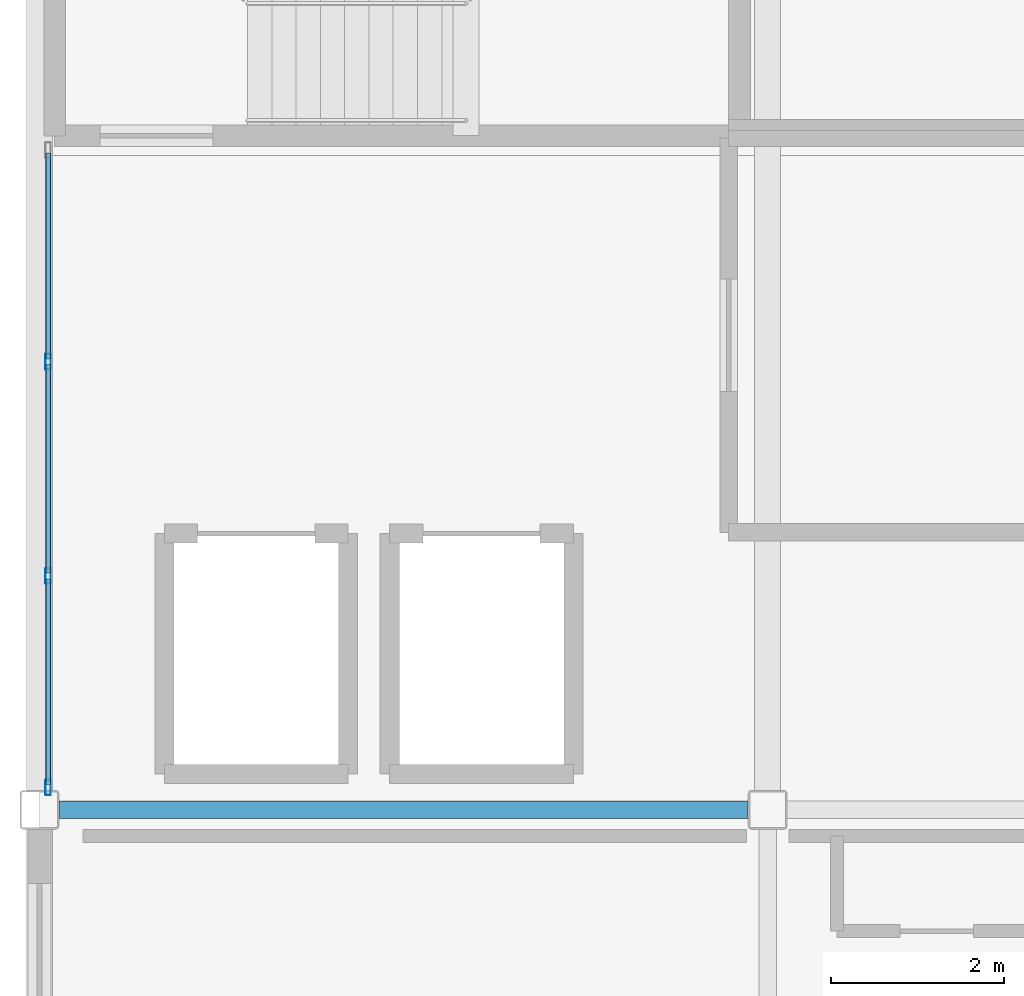
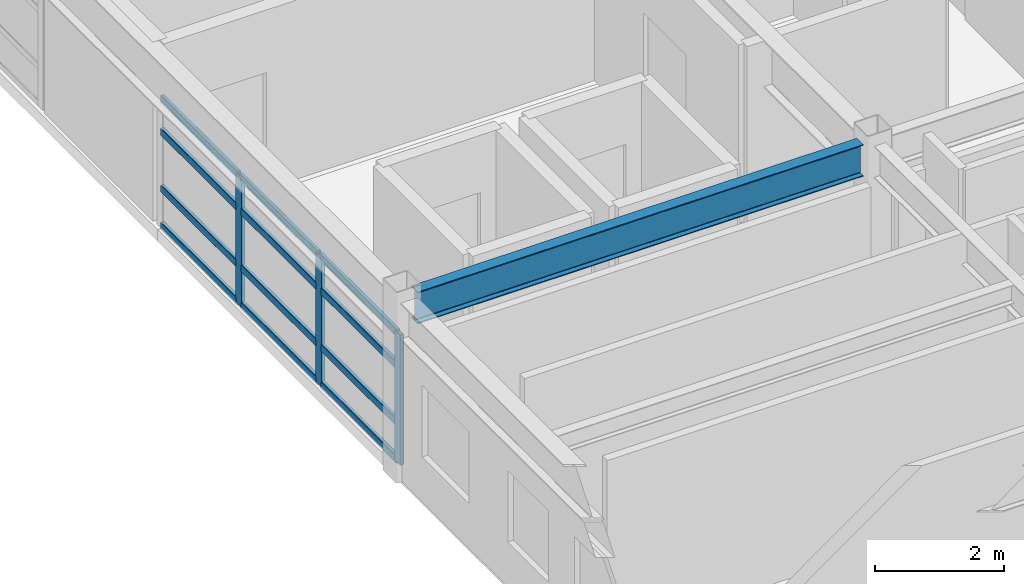
# One storey, part 9 of 28: 15 members, 1 beam, 1 element without a shape of its own.
"""IFC4 building model written with IfcOpenShell, lengths in metres."""

import ifcopenshell
import ifcopenshell.guid

model = None  # the IFC model being written
_history = None  # IfcOwnerHistory: only IFC2X3 demands one
_inside = {}  # id of a spatial element -> (the spatial element, [elements in it])
_under = {}  # id of a project, library or spatial element -> (it, [spatial elements below it])
_declared = {}  # id of a project -> (the project, [libraries it declares])
_typed = {}  # id of a type object -> (the type object, [elements of that type])
_made_of = {}  # id of a material, layer set ... -> (it, [elements and type objects made of it])


def new_model(schema):
    """Start an empty IFC model of exactly this schema.

    Asked for "IFC4X3", IfcOpenShell would pick the latest addendum, in which some entities
    have other attributes; the version numbers below select the first issue.
    IFC2X3 requires an IfcOwnerHistory on every rooted entity: one is made here for all.
    """
    global model, _history
    if schema == "IFC4X3":
        model = ifcopenshell.file(schema_version=(4, 3, 0, 0))
    else:
        model = ifcopenshell.file(schema=schema)
    _inside.clear()
    _under.clear()
    _declared.clear()
    _typed.clear()
    _made_of.clear()
    _history = None
    if model.schema == "IFC2X3":
        org = make("IfcOrganization", Name="unknown")
        user = make(
            "IfcPersonAndOrganization",
            ThePerson=make("IfcPerson", FamilyName="unknown"),
            TheOrganization=org,
        )
        app = make(
            "IfcApplication",
            ApplicationDeveloper=org,
            Version="unknown",
            ApplicationFullName="unknown",
            ApplicationIdentifier="unknown",
        )
        _history = make(
            "IfcOwnerHistory",
            OwningUser=user,
            OwningApplication=app,
            ChangeAction="ADDED",
            CreationDate=0,
        )
    return model


def make(cls, **values):
    """One entity of the class cls with the attributes given. An attribute that is None is left unset."""
    return model.create_entity(
        cls, **{name: value for name, value in values.items() if value is not None}
    )


def rooted(cls, **values):
    """An entity with a GlobalId (a new one), such as an element, a storey or a relation."""
    return make(cls, GlobalId=ifcopenshell.guid.new(), OwnerHistory=_history, **values)


def si_unit(unit_type, name, prefix=None):
    """IfcSIUnit, for example si_unit("LENGTHUNIT", "METRE", prefix="MILLI")."""
    return make("IfcSIUnit", UnitType=unit_type, Prefix=prefix, Name=name)


def assignment(units):
    """IfcUnitAssignment: the units of a project."""
    return None if units is None else make("IfcUnitAssignment", Units=units)


def point(xyz):
    """IfcCartesianPoint."""
    return None if xyz is None else make("IfcCartesianPoint", Coordinates=xyz)


def direction(xyz):
    """IfcDirection."""
    return None if xyz is None else make("IfcDirection", DirectionRatios=xyz)


def frame(location, z_axis=None, x_axis=None):
    """IfcAxis2Placement3D, a coordinate frame: its origin and axes. An axis left out is left unset."""
    return make(
        "IfcAxis2Placement3D",
        Location=point(location),
        Axis=direction(z_axis),
        RefDirection=direction(x_axis),
    )


def frame_2d(location, x_axis=None):
    """IfcAxis2Placement2D, a coordinate frame in the plane: its origin and x axis."""
    return make(
        "IfcAxis2Placement2D", Location=point(location), RefDirection=direction(x_axis)
    )


def origin():
    """The frame at (0, 0, 0) with its axes left unset."""
    return frame((0.0, 0.0, 0.0))


def origin_2d():
    """The frame at (0, 0) in the plane with its x axis left unset."""
    return frame_2d((0.0, 0.0))


def place(relative_to, where):
    """IfcLocalPlacement: puts the frame where relative to a parent placement (None: the world)."""
    return make(
        "IfcLocalPlacement", PlacementRelTo=relative_to, RelativePlacement=where
    )


def context(
    kind, dimensions, precision=None, world=None, true_north=None, identifier=None
):
    """IfcGeometricRepresentationContext, for example the 3D "Model" context."""
    return make(
        "IfcGeometricRepresentationContext",
        ContextIdentifier=identifier,
        ContextType=kind,
        CoordinateSpaceDimension=dimensions,
        Precision=precision,
        WorldCoordinateSystem=world,
        TrueNorth=true_north,
    )


def subcontext(parent, identifier, kind, view, scale=None):
    """IfcGeometricRepresentationSubContext, for example "Body" below "Model"."""
    return make(
        "IfcGeometricRepresentationSubContext",
        ContextIdentifier=identifier,
        ContextType=kind,
        ParentContext=parent,
        TargetScale=scale,
        TargetView=view,
    )


def project(units=None, contexts=None):
    """IfcProject with its units and contexts."""
    return rooted(
        "IfcProject",
        Name="project",
        RepresentationContexts=contexts,
        UnitsInContext=assignment(units),
    )


def spatial(cls, under=None, at=None, **own):
    """A site, building, storey or space (cls), placed at a placement, below another one or the project."""
    s = rooted(cls, ObjectPlacement=at, **own)
    if under is not None:
        _under.setdefault(under.id(), (under, []))[1].append(s)
    return s


def profile(cls, at=None, kind="AREA", **sizes):
    """A parametric profile (cls). Its sizes go by their IFC names, for example OverallWidth=200.0."""
    return make(cls, ProfileType=kind, Position=at, **sizes)


def hollow_rectangle(**sizes):
    """IfcRectangleHollowProfileDef."""
    return profile("IfcRectangleHollowProfileDef", **sizes)


def i_section(**sizes):
    """IfcIShapeProfileDef."""
    return profile("IfcIShapeProfileDef", **sizes)


def extrude(swept, where, along, depth):
    """IfcExtrudedAreaSolid: the profile swept, set in the frame where, extruded along a direction by depth."""
    return make(
        "IfcExtrudedAreaSolid",
        SweptArea=swept,
        Position=where,
        ExtrudedDirection=direction(along),
        Depth=depth,
    )


def shape(context_of_items, identifier, shape_type, items):
    """IfcShapeRepresentation: the items that make up one representation, for example the "Body"."""
    return make(
        "IfcShapeRepresentation",
        ContextOfItems=context_of_items,
        RepresentationIdentifier=identifier,
        RepresentationType=shape_type,
        Items=items,
    )


def material(Name=None, Category=None):
    """IfcMaterial."""
    return make("IfcMaterial", Name=Name, Category=Category)


def layer(
    of_material, thickness, ventilated=None, Name=None, Category=None, Priority=None
):
    """IfcMaterialLayer: one layer of a wall or slab, of a material (None: an air gap)."""
    return make(
        "IfcMaterialLayer",
        Material=of_material,
        LayerThickness=thickness,
        IsVentilated=ventilated,
        Name=Name,
        Category=Category,
        Priority=Priority,
    )


def layer_set(layers, Name=None):
    """IfcMaterialLayerSet."""
    return make("IfcMaterialLayerSet", MaterialLayers=layers, LayerSetName=Name)


def material_profile(
    of_material, cross_section, Name=None, Category=None, Priority=None
):
    """IfcMaterialProfile: a cross section and its material."""
    return make(
        "IfcMaterialProfile",
        Name=Name,
        Material=of_material,
        Profile=cross_section,
        Priority=Priority,
        Category=Category,
    )


def profile_set(profiles, Name=None, composite=None):
    """IfcMaterialProfileSet."""
    return make(
        "IfcMaterialProfileSet",
        Name=Name,
        MaterialProfiles=profiles,
        CompositeProfile=composite,
    )


def made_of(thing, what):
    """Note that an element or type object is made of a material, layer set ...; save() writes the relation."""
    if what is not None:
        _made_of.setdefault(what.id(), (what, []))[1].append(thing)
    return thing


def type_object(cls, material=None, **own):
    """A type object (cls), such as IfcWallType, which elements share."""
    return made_of(rooted(cls, **own), material)


def element(
    cls,
    number,
    at=None,
    inside=None,
    cuts=None,
    type_object=None,
    material=None,
    context=None,
    identifier="Body",
    shape_type=None,
    held_by="IfcProductDefinitionShape",
    body=None,
    shapes=None,
    **own,
):
    """One element of the class cls, such as IfcWall. Its Tag is "e" and its number.

    at: its placement. inside: the storey or other place that contains it. cuts: it is an
    opening in that element (IfcRelVoidsElement). A single representation is given by context,
    identifier, shape_type and body (its items); several are given by shapes. held_by: the class
    of the entity that holds the representations. save() writes the other relations.
    """
    e = rooted(cls, Tag="e%d" % number, ObjectPlacement=at, **own)
    if body is not None:
        shapes = [shape(context, identifier, shape_type, body)]
    if shapes is not None:
        e.Representation = make(held_by, Representations=shapes)
    if inside is not None:
        _inside.setdefault(inside.id(), (inside, []))[1].append(e)
    if cuts is not None:
        rooted(
            "IfcRelVoidsElement", RelatingBuildingElement=cuts, RelatedOpeningElement=e
        )
    if type_object is not None:
        _typed.setdefault(type_object.id(), (type_object, []))[1].append(e)
    return made_of(e, material)


def aggregate(whole, parts):
    """IfcRelAggregates: a whole, such as a stair, and the parts it consists of."""
    return rooted("IfcRelAggregates", RelatingObject=whole, RelatedObjects=parts)


def save(model, path):
    """Write the relations noted so far, then the file.

    IfcRelAggregates (storeys below a building ...), IfcRelContainedInSpatialStructure (elements
    in a storey), IfcRelDefinesByType, IfcRelAssociatesMaterial and IfcRelDeclares: one each for
    every whole, place, type object, material and project.
    """
    for whole, parts in _under.values():
        aggregate(whole, parts)
    for where, things in _inside.values():
        rooted(
            "IfcRelContainedInSpatialStructure",
            RelatedElements=things,
            RelatingStructure=where,
        )
    for kind, things in _typed.values():
        rooted("IfcRelDefinesByType", RelatedObjects=things, RelatingType=kind)
    for what, things in _made_of.values():
        rooted("IfcRelAssociatesMaterial", RelatedObjects=things, RelatingMaterial=what)
    for by, libraries in _declared.values():
        rooted("IfcRelDeclares", RelatingContext=by, RelatedDefinitions=libraries)
    model.write(path)


model = new_model("IFC4")

# Units and contexts
model_context = context("Model", 3, precision=1e-05, world=origin(), true_north=direction((0.0, 1.0)))
body_context = subcontext(model_context, "Body", "Model", "MODEL_VIEW")
ifc_project = project(units=[si_unit("LENGTHUNIT", "METRE"), si_unit("AREAUNIT", "SQUARE_METRE"), si_unit("VOLUMEUNIT", "CUBIC_METRE"), si_unit("PLANEANGLEUNIT", "RADIAN"), si_unit("MASSUNIT", "GRAM", prefix="KILO")], contexts=[model_context])

# Site, building, storey
site_placement = place(None, origin())
site = spatial("IfcSite", under=ifc_project, at=site_placement, CompositionType="ELEMENT")
building_placement = place(site_placement, origin())
building = spatial("IfcBuilding", under=site, at=building_placement, Name="Kazehara Bluff Congress Hotel", CompositionType="ELEMENT")
storey_placement = place(building_placement, frame((0.0, 0.0, 42.60009765625)))
storey = spatial("IfcBuildingStorey", under=building, at=storey_placement, Name="L10", CompositionType="ELEMENT", Elevation=42.60009765625)

# Curtain wall, members
ifc_material_1 = material(Name="Anodised aluminium", Category="aluminium")
ifc_layer = layer(ifc_material_1, 0.159912109375)
ifc_layer_set = layer_set([ifc_layer], Name="Anodised aluminium")
curtain_wall_type = type_object("IfcCurtainWallType", Name="TP-CW-203", PredefinedType="NOTDEFINED", material=ifc_layer_set)
curtain_wall_placement = place(storey_placement, origin())
curtain_wall = element("IfcCurtainWall", 1, at=curtain_wall_placement, inside=storey, type_object=curtain_wall_type, Name="L10 curtain wall CW-203 CW-ENC-V5-L10-14380-4483", PredefinedType="NOTDEFINED")
ifc_material_2 = material(Name="Anodised aluminium", Category="aluminium")
ifc_material_profile_1 = material_profile(ifc_material_2, hollow_rectangle(XDim=0.06494140625, YDim=0.179931640625, WallThickness=0.00390625, InnerFilletRadius=0.00390625, OuterFilletRadius=0.008056640625, at=origin_2d()))
ifc_profile_set_1 = profile_set([ifc_material_profile_1], Name="Anodised aluminium")
member_type_1 = type_object("IfcMemberType", Name="TP-CWM-02", PredefinedType="MULLION", material=ifc_profile_set_1)
member_1_placement = place(storey_placement, frame((143.800048828125, 41.157470703125, 0.0), z_axis=(0.0, 0.0, 1.0), x_axis=(-1.0, 0.0, 0.0)))
member_1 = element("IfcMember", 2, at=member_1_placement, type_object=member_type_1, Name="CW-203 mullion 1", PredefinedType="MULLION", context=body_context, shape_type="SweptSolid", body=[
    extrude(hollow_rectangle(XDim=0.06494140625, YDim=0.179931640625, WallThickness=0.00390625, InnerFilletRadius=0.00390625, OuterFilletRadius=0.008056640625, at=origin_2d()), origin(), (0.0, 0.0, 1.0), 2.454833984375),
])
member_2_placement = place(storey_placement, frame((143.800048828125, 43.5966796875, 0.0), z_axis=(0.0, 0.0, 1.0), x_axis=(-1.0, 0.0, 0.0)))
member_2 = element("IfcMember", 3, at=member_2_placement, type_object=member_type_1, Name="CW-203 mullion 2", PredefinedType="MULLION", context=body_context, shape_type="SweptSolid", body=[
    extrude(hollow_rectangle(XDim=0.06494140625, YDim=0.179931640625, WallThickness=0.00390625, InnerFilletRadius=0.00390625, OuterFilletRadius=0.008056640625, at=origin_2d()), origin(), (0.0, 0.0, 1.0), 2.454833984375),
])
member_3_placement = place(storey_placement, frame((143.800048828125, 46.068359375, 0.0), z_axis=(0.0, 0.0, 1.0), x_axis=(-1.0, 0.0, 0.0)))
member_3 = element("IfcMember", 4, at=member_3_placement, type_object=member_type_1, Name="CW-203 mullion 3", PredefinedType="MULLION", context=body_context, shape_type="SweptSolid", body=[
    extrude(hollow_rectangle(XDim=0.06494140625, YDim=0.179931640625, WallThickness=0.00390625, InnerFilletRadius=0.00390625, OuterFilletRadius=0.008056640625, at=origin_2d()), origin(), (0.0, 0.0, 1.0), 2.454833984375),
])
ifc_material_3 = material(Name="Anodised aluminium", Category="aluminium")
ifc_material_profile_2 = material_profile(ifc_material_3, hollow_rectangle(XDim=0.06494140625, YDim=0.139892578125, WallThickness=0.00390625, InnerFilletRadius=0.00390625, OuterFilletRadius=0.008056640625, at=origin_2d()))
ifc_profile_set_2 = profile_set([ifc_material_profile_2], Name="Anodised aluminium")
member_type_2 = type_object("IfcMemberType", Name="TP-CWT-02", PredefinedType="USERDEFINED", material=ifc_profile_set_2)
member_4_placement = place(storey_placement, frame((143.800048828125, 41.18994140625, 0.032470703125), z_axis=(0.0, 1.0, 0.0), x_axis=(-1.0, 0.0, 0.0)))
member_4 = element("IfcMember", 5, at=member_4_placement, type_object=member_type_2, Name="CW-203 transom 1.1", ObjectType="TRANSOM", PredefinedType="USERDEFINED", context=body_context, shape_type="SweptSolid", body=[
    extrude(hollow_rectangle(XDim=0.06494140625, YDim=0.139892578125, WallThickness=0.00390625, InnerFilletRadius=0.00390625, OuterFilletRadius=0.008056640625, at=origin_2d()), origin(), (0.0, 0.0, 1.0), 2.374267578125),
])
member_5_placement = place(storey_placement, frame((143.800048828125, 41.18994140625, 0.73486328125), z_axis=(0.0, 1.0, 0.0), x_axis=(-1.0, 0.0, 0.0)))
member_5 = element("IfcMember", 6, at=member_5_placement, type_object=member_type_2, Name="CW-203 transom 1.2", ObjectType="TRANSOM", PredefinedType="USERDEFINED", context=body_context, shape_type="SweptSolid", body=[
    extrude(hollow_rectangle(XDim=0.06494140625, YDim=0.139892578125, WallThickness=0.00390625, InnerFilletRadius=0.00390625, OuterFilletRadius=0.008056640625, at=origin_2d()), origin(), (0.0, 0.0, 1.0), 2.374267578125),
])
member_6_placement = place(storey_placement, frame((143.800048828125, 41.18994140625, 1.804931640625), z_axis=(0.0, 1.0, 0.0), x_axis=(-1.0, 0.0, 0.0)))
member_6 = element("IfcMember", 7, at=member_6_placement, type_object=member_type_2, Name="CW-203 transom 1.3", ObjectType="TRANSOM", PredefinedType="USERDEFINED", context=body_context, shape_type="SweptSolid", body=[
    extrude(hollow_rectangle(XDim=0.06494140625, YDim=0.139892578125, WallThickness=0.00390625, InnerFilletRadius=0.00390625, OuterFilletRadius=0.008056640625, at=origin_2d()), origin(), (0.0, 0.0, 1.0), 2.374267578125),
])
member_7_placement = place(storey_placement, frame((143.800048828125, 41.18994140625, 2.42236328125), z_axis=(0.0, 1.0, 0.0), x_axis=(-1.0, 0.0, 0.0)))
member_7 = element("IfcMember", 8, at=member_7_placement, type_object=member_type_2, Name="CW-203 transom 1.4", ObjectType="TRANSOM", PredefinedType="USERDEFINED", context=body_context, shape_type="SweptSolid", body=[
    extrude(hollow_rectangle(XDim=0.06494140625, YDim=0.139892578125, WallThickness=0.00390625, InnerFilletRadius=0.00390625, OuterFilletRadius=0.008056640625, at=origin_2d()), origin(), (0.0, 0.0, 1.0), 2.374267578125),
])
member_8_placement = place(storey_placement, frame((143.800048828125, 43.629150390625, 0.032470703125), z_axis=(0.0, 1.0, 0.0), x_axis=(-1.0, 0.0, 0.0)))
member_8 = element("IfcMember", 9, at=member_8_placement, type_object=member_type_2, Name="CW-203 transom 2.1", ObjectType="TRANSOM", PredefinedType="USERDEFINED", context=body_context, shape_type="SweptSolid", body=[
    extrude(hollow_rectangle(XDim=0.06494140625, YDim=0.139892578125, WallThickness=0.00390625, InnerFilletRadius=0.00390625, OuterFilletRadius=0.008056640625, at=origin_2d()), origin(), (0.0, 0.0, 1.0), 2.40673828125),
])
member_9_placement = place(storey_placement, frame((143.800048828125, 43.629150390625, 0.73486328125), z_axis=(0.0, 1.0, 0.0), x_axis=(-1.0, 0.0, 0.0)))
member_9 = element("IfcMember", 10, at=member_9_placement, type_object=member_type_2, Name="CW-203 transom 2.2", ObjectType="TRANSOM", PredefinedType="USERDEFINED", context=body_context, shape_type="SweptSolid", body=[
    extrude(hollow_rectangle(XDim=0.06494140625, YDim=0.139892578125, WallThickness=0.00390625, InnerFilletRadius=0.00390625, OuterFilletRadius=0.008056640625, at=origin_2d()), origin(), (0.0, 0.0, 1.0), 2.40673828125),
])
member_10_placement = place(storey_placement, frame((143.800048828125, 43.629150390625, 1.804931640625), z_axis=(0.0, 1.0, 0.0), x_axis=(-1.0, 0.0, 0.0)))
member_10 = element("IfcMember", 11, at=member_10_placement, type_object=member_type_2, Name="CW-203 transom 2.3", ObjectType="TRANSOM", PredefinedType="USERDEFINED", context=body_context, shape_type="SweptSolid", body=[
    extrude(hollow_rectangle(XDim=0.06494140625, YDim=0.139892578125, WallThickness=0.00390625, InnerFilletRadius=0.00390625, OuterFilletRadius=0.008056640625, at=origin_2d()), origin(), (0.0, 0.0, 1.0), 2.40673828125),
])
member_11_placement = place(storey_placement, frame((143.800048828125, 43.629150390625, 2.42236328125), z_axis=(0.0, 1.0, 0.0), x_axis=(-1.0, 0.0, 0.0)))
member_11 = element("IfcMember", 12, at=member_11_placement, type_object=member_type_2, Name="CW-203 transom 2.4", ObjectType="TRANSOM", PredefinedType="USERDEFINED", context=body_context, shape_type="SweptSolid", body=[
    extrude(hollow_rectangle(XDim=0.06494140625, YDim=0.139892578125, WallThickness=0.00390625, InnerFilletRadius=0.00390625, OuterFilletRadius=0.008056640625, at=origin_2d()), origin(), (0.0, 0.0, 1.0), 2.40673828125),
])
member_12_placement = place(storey_placement, frame((143.800048828125, 46.100830078125, 0.032470703125), z_axis=(0.0, 1.0, 0.0), x_axis=(-1.0, 0.0, 0.0)))
member_12 = element("IfcMember", 13, at=member_12_placement, type_object=member_type_2, Name="CW-203 transom 3.1", ObjectType="TRANSOM", PredefinedType="USERDEFINED", context=body_context, shape_type="SweptSolid", body=[
    extrude(hollow_rectangle(XDim=0.06494140625, YDim=0.139892578125, WallThickness=0.00390625, InnerFilletRadius=0.00390625, OuterFilletRadius=0.008056640625, at=origin_2d()), origin(), (0.0, 0.0, 1.0), 2.374267578125),
])
member_13_placement = place(storey_placement, frame((143.800048828125, 46.100830078125, 0.73486328125), z_axis=(0.0, 1.0, 0.0), x_axis=(-1.0, 0.0, 0.0)))
member_13 = element("IfcMember", 14, at=member_13_placement, type_object=member_type_2, Name="CW-203 transom 3.2", ObjectType="TRANSOM", PredefinedType="USERDEFINED", context=body_context, shape_type="SweptSolid", body=[
    extrude(hollow_rectangle(XDim=0.06494140625, YDim=0.139892578125, WallThickness=0.00390625, InnerFilletRadius=0.00390625, OuterFilletRadius=0.008056640625, at=origin_2d()), origin(), (0.0, 0.0, 1.0), 2.374267578125),
])
member_14_placement = place(storey_placement, frame((143.800048828125, 46.100830078125, 1.804931640625), z_axis=(0.0, 1.0, 0.0), x_axis=(-1.0, 0.0, 0.0)))
member_14 = element("IfcMember", 15, at=member_14_placement, type_object=member_type_2, Name="CW-203 transom 3.3", ObjectType="TRANSOM", PredefinedType="USERDEFINED", context=body_context, shape_type="SweptSolid", body=[
    extrude(hollow_rectangle(XDim=0.06494140625, YDim=0.139892578125, WallThickness=0.00390625, InnerFilletRadius=0.00390625, OuterFilletRadius=0.008056640625, at=origin_2d()), origin(), (0.0, 0.0, 1.0), 2.374267578125),
])
member_15_placement = place(storey_placement, frame((143.800048828125, 46.100830078125, 2.42236328125), z_axis=(0.0, 1.0, 0.0), x_axis=(-1.0, 0.0, 0.0)))
member_15 = element("IfcMember", 16, at=member_15_placement, type_object=member_type_2, Name="CW-203 transom 3.4", ObjectType="TRANSOM", PredefinedType="USERDEFINED", context=body_context, shape_type="SweptSolid", body=[
    extrude(hollow_rectangle(XDim=0.06494140625, YDim=0.139892578125, WallThickness=0.00390625, InnerFilletRadius=0.00390625, OuterFilletRadius=0.008056640625, at=origin_2d()), origin(), (0.0, 0.0, 1.0), 2.374267578125),
])
aggregate(curtain_wall, [member_1, member_2, member_3, member_4, member_5, member_6, member_7, member_8, member_9, member_10, member_11, member_12, member_13, member_14, member_15])

# Beam
ifc_material_4 = material(Name="Steel SN490B", Category="steel")
ifc_material_profile_3 = material_profile(ifc_material_4, i_section(OverallWidth=0.199951171875, OverallDepth=0.60009765625, WebThickness=0.010986328125, FlangeThickness=0.01708984375, FilletRadius=0.012939453125, at=origin_2d()))
ifc_profile_set_3 = profile_set([ifc_material_profile_3], Name="Steel SN490B")
beam_type = type_object("IfcBeamType", Name="TP-G-02", PredefinedType="BEAM", material=ifc_profile_set_3)
beam_placement = place(storey_placement, frame((143.925048828125, 40.89990234375, 3.079833984375), z_axis=(1.0, 0.0, 0.0), x_axis=(0.0, 1.0, 0.0)))
element("IfcBeam", 17, at=beam_placement, inside=storey, type_object=beam_type, Name="L10 girder G-02 34", PredefinedType="BEAM", context=body_context, shape_type="SweptSolid", body=[
    extrude(i_section(OverallWidth=0.199951171875, OverallDepth=0.60009765625, WebThickness=0.010986328125, FlangeThickness=0.01708984375, FilletRadius=0.012939453125, at=origin_2d()), origin(), (0.0, 0.0, 1.0), 7.949951171875),
])

save(model, "model.ifc")
